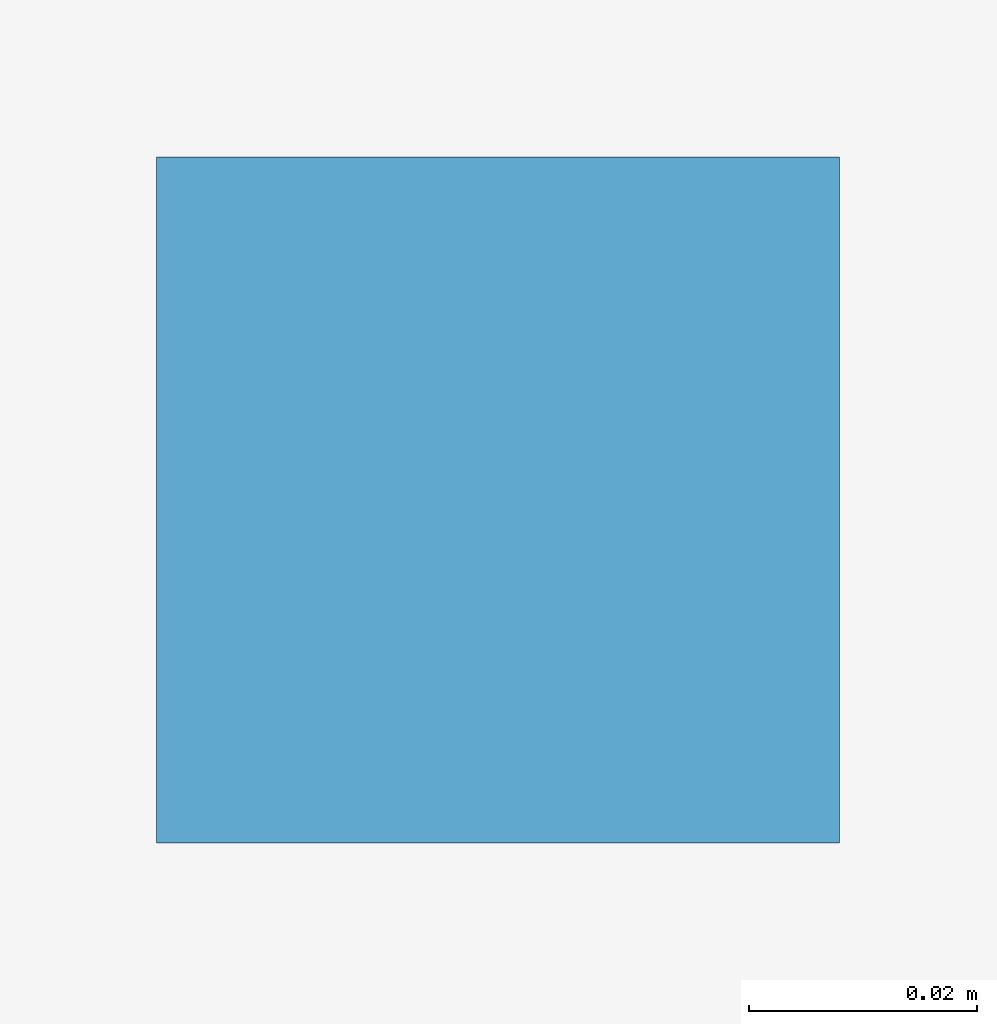
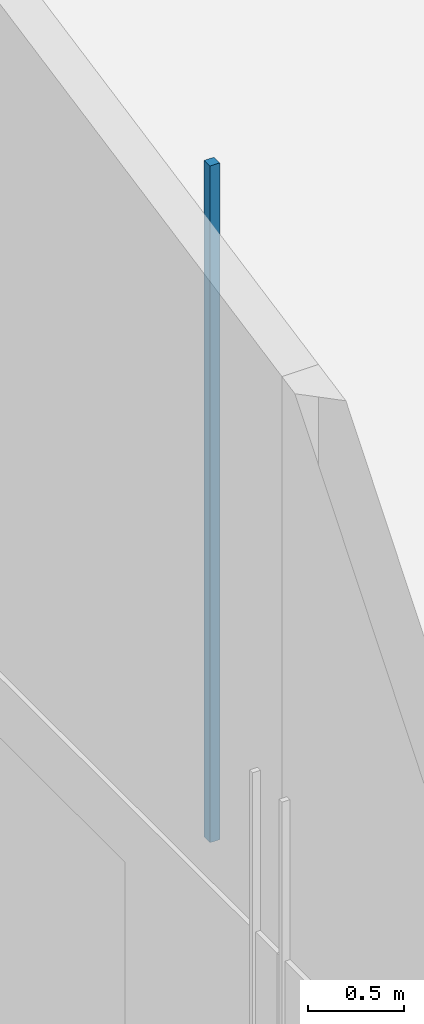
# One storey, part 66 of 93: 1 discrete accessory.
"""IFC4 building model written with IfcOpenShell, lengths in metres."""

from ifc_helpers import new_model, si_unit, direction, frame, origin, place, context, subcontext, project, spatial, polyline, outline, extrude, material, type_object, element, save


model = new_model("IFC4")

# Units and contexts
model_context = context("Model", 3, precision=1e-05, world=origin(), true_north=direction((0.0, 1.0)))
body_context = subcontext(model_context, "Body", "Model", "MODEL_VIEW")
ifc_project = project(units=[si_unit("LENGTHUNIT", "METRE"), si_unit("AREAUNIT", "SQUARE_METRE"), si_unit("VOLUMEUNIT", "CUBIC_METRE"), si_unit("PLANEANGLEUNIT", "RADIAN"), si_unit("MASSUNIT", "GRAM", prefix="KILO")], contexts=[model_context])

# Site, building, storey
site_placement = place(None, origin())
site = spatial("IfcSite", under=ifc_project, at=site_placement, CompositionType="ELEMENT")
building_placement = place(site_placement, origin())
building = spatial("IfcBuilding", under=site, at=building_placement, Name="Dunescarp Central Library", CompositionType="ELEMENT")
storey_placement = place(building_placement, frame((0.0, 0.0, 14.10009765625)))
storey = spatial("IfcBuildingStorey", under=building, at=storey_placement, Name="L03", CompositionType="ELEMENT", Elevation=14.10009765625)

# Discrete accessory
ifc_material = material(Name="Stainless steel Grade 316L", Category="steel")
discrete_accessory_type = type_object("IfcDiscreteAccessoryType", Name="ARC-ACC-BRK", PredefinedType="BRACKET", material=ifc_material)
discrete_accessory_placement = place(storey_placement, frame((0.0, 0.0, 3.059814453125)))
element("IfcDiscreteAccessory", 1, at=discrete_accessory_placement, inside=storey, type_object=discrete_accessory_type, Name="L03 ceiling hanger CLG-L03-136-H1", PredefinedType="BRACKET", context=body_context, shape_type="SweptSolid", body=[
    extrude(outline(polyline([(0.360107421875, 57.47998046875), (0.419921875, 57.47998046875), (0.419921875, 57.5400390625), (0.360107421875, 57.5400390625), (0.360107421875, 57.47998046875)])), origin(), (0.0, 0.0, 1.0), 4.30810546875),
])

save(model, "model.ifc")
